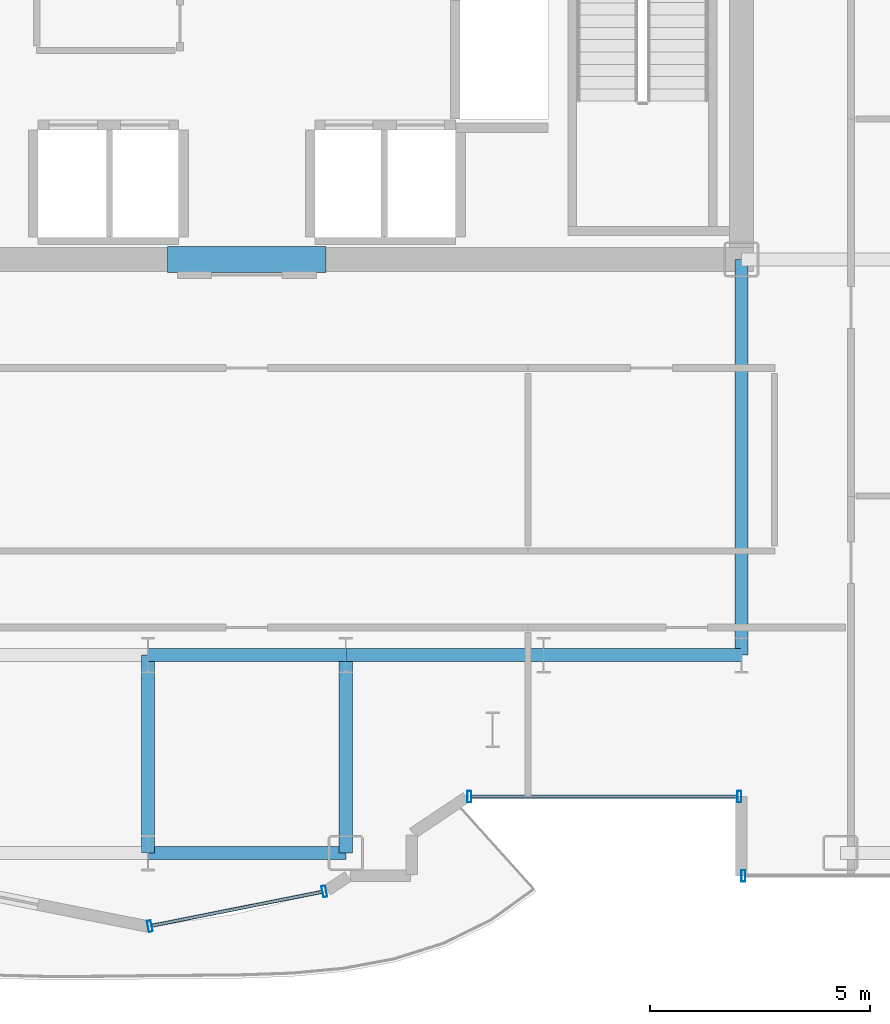
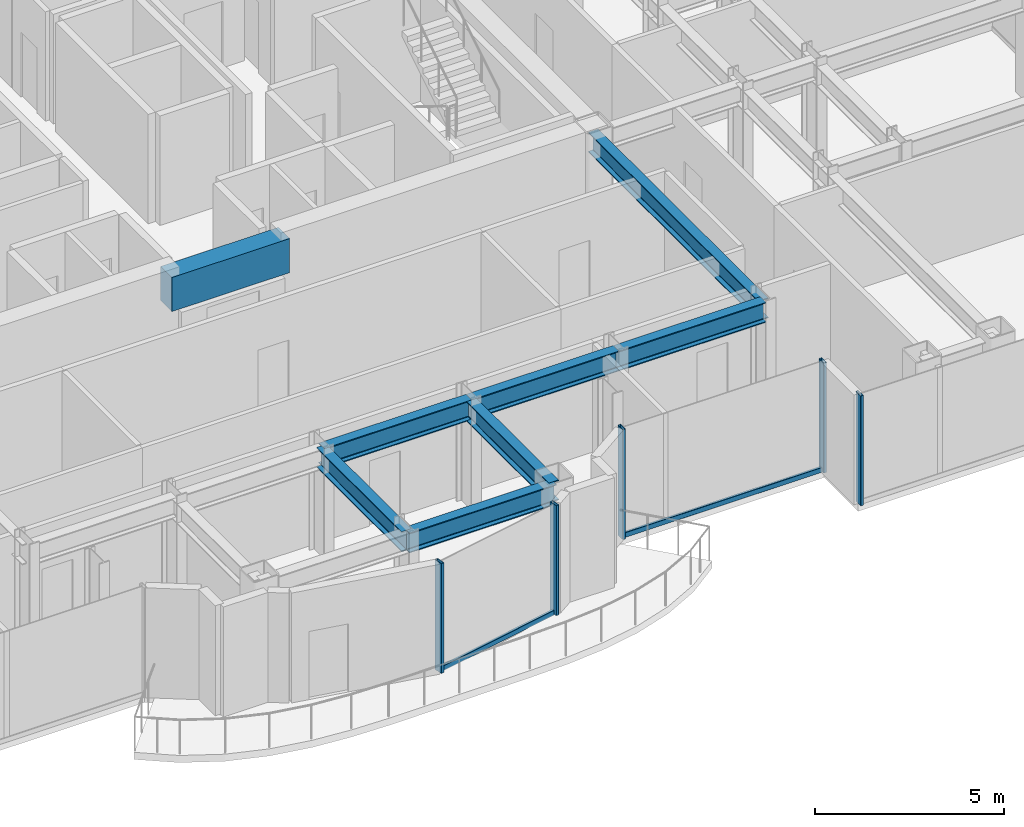
# One storey, part 7 of 22: 8 beams, 7 members, 3 elements without a shape of their own.
"""IFC4 building model written with IfcOpenShell, lengths in metres."""

from ifc_helpers import new_model, si_unit, direction, frame, origin, origin_2d, place, context, subcontext, project, spatial, rectangle, hollow_rectangle, i_section, extrude, source, transform, mapped, material, layer, layer_set, material_profile, profile_set, type_object, element, aggregate, save


model = new_model("IFC4")

# Units and contexts
model_context = context("Model", 3, precision=1e-05, world=origin(), true_north=direction((0.0, 1.0)))
body_context = subcontext(model_context, "Body", "Model", "MODEL_VIEW")
ifc_project = project(units=[si_unit("LENGTHUNIT", "METRE"), si_unit("AREAUNIT", "SQUARE_METRE"), si_unit("VOLUMEUNIT", "CUBIC_METRE"), si_unit("PLANEANGLEUNIT", "RADIAN"), si_unit("MASSUNIT", "GRAM", prefix="KILO")], contexts=[model_context])

# Site, building, storey
site_placement = place(None, origin())
site = spatial("IfcSite", under=ifc_project, at=site_placement, CompositionType="ELEMENT")
building_placement = place(site_placement, origin())
building = spatial("IfcBuilding", under=site, at=building_placement, Name="Nefas-Gora Pilgrimage Tower", CompositionType="ELEMENT")
storey_placement = place(building_placement, frame((0.0, 0.0, 186.800048828125)))
storey = spatial("IfcBuildingStorey", under=building, at=storey_placement, Name="L46", CompositionType="ELEMENT", Elevation=186.800048828125)

# Beams
ifc_material_1 = material(Name="Concrete C60/75", Category="concrete")
ifc_material_profile_1 = material_profile(ifc_material_1, rectangle(XDim=0.60009765625, YDim=1.10009765625, at=origin_2d()), Name="RC 600x1100")
ifc_profile_set_1 = profile_set([ifc_material_profile_1], Name="Concrete C60/75")
beam_type_1 = type_object("IfcBeamType", Name="BM-LIN-RC1100", PredefinedType="LINTEL", material=ifc_profile_set_1)
shared_shape_1 = source(origin(), body_context, "Body", "SweptSolid", [
    extrude(rectangle(XDim=0.60009765625, YDim=1.10009765625, at=origin_2d()), origin(), (0.0, 0.0, 1.0), 3.60009765625),
])
beam_1_placement = place(storey_placement, frame((-1.800048828125, -9.0, 3.0), z_axis=(1.0, 0.0, 0.0), x_axis=(0.0, 1.0, 0.0)))
element("IfcBeam", 1, at=beam_1_placement, inside=storey, type_object=beam_type_1, Name="L46 Core Coupling Lintel Beam S", PredefinedType="LINTEL", context=body_context, shape_type="MappedRepresentation", body=[
    mapped(shared_shape_1, transform((0.0, 0.0, 0.0), x_axis=(1.0, 0.0, 0.0), y_axis=(0.0, 1.0, 0.0), z_axis=(0.0, 0.0, 1.0), scale=1.0)),
])
ifc_material_2 = material(Name="Steel S355", Category="steel")
ifc_material_profile_2 = material_profile(ifc_material_2, i_section(OverallWidth=0.300048828125, OverallDepth=0.64990234375, WebThickness=0.01611328125, FlangeThickness=0.031005859375, FilletRadius=0.027099609375, at=origin_2d()), Name="HEB 650")
ifc_profile_set_2 = profile_set([ifc_material_profile_2], Name="Steel S355")
beam_type_2 = type_object("IfcBeamType", Name="BM-GIR-HEB650", PredefinedType="BEAM", material=ifc_profile_set_2)
shared_shape_2 = source(origin(), body_context, "Body", "SweptSolid", [
    extrude(i_section(OverallWidth=0.300048828125, OverallDepth=0.64990234375, WebThickness=0.01611328125, FlangeThickness=0.031005859375, FilletRadius=0.027099609375, at=origin_2d()), origin(), (0.0, 0.0, 1.0), 9.0),
])
beam_2_placement = place(storey_placement, frame((11.25, -18.0, 3.224853515625), z_axis=(0.0, 1.0, 0.0), x_axis=(-1.0, 0.0, 0.0)))
element("IfcBeam", 2, at=beam_2_placement, inside=storey, type_object=beam_type_2, Name="L46 G-03 beam", PredefinedType="BEAM", context=body_context, shape_type="MappedRepresentation", body=[
    mapped(shared_shape_2, transform((0.0, 0.0, 0.0), x_axis=(1.0, 0.0, 0.0), y_axis=(0.0, 1.0, 0.0), z_axis=(0.0, 0.0, 1.0), scale=1.0)),
])
shared_shape_3 = source(origin(), body_context, "Body", "SweptSolid", [
    extrude(i_section(OverallWidth=0.300048828125, OverallDepth=0.64990234375, WebThickness=0.01611328125, FlangeThickness=0.031005859375, FilletRadius=0.027099609375, at=origin_2d()), origin(), (0.0, 0.0, 1.0), 4.5),
])
for number, where, z_axis, x_axis, name in (
    (3, (-2.25, -22.5, 3.224853515625), (0.0, 1.0, 0.0), (-1.0, 0.0, 0.0), "L46 G-03 beam"),
    (4, (-2.25, -22.5, 3.224853515625), (1.0, 0.0, 0.0), (0.0, 1.0, 0.0), "L46 G-03 beam"),
    (5, (-2.25, -18.0, 3.224853515625), (1.0, 0.0, 0.0), (0.0, 1.0, 0.0), "L46 G-03 beam"),
    (6, (2.25, -22.5, 3.224853515625), (0.0, 1.0, 0.0), (-1.0, 0.0, 0.0), "L46 G-03 beam"),
    (7, (2.25, -18.0, 3.224853515625), (1.0, 0.0, 0.0), (0.0, 1.0, 0.0), "L46 G-03 beam"),
    (8, (6.75, -18.0, 3.224853515625), (1.0, 0.0, 0.0), (0.0, 1.0, 0.0), "L46 G-03 beam"),
):
    element("IfcBeam", number, at=place(storey_placement, frame(where, z_axis=z_axis, x_axis=x_axis)), inside=storey, type_object=beam_type_2, Name=name, PredefinedType="BEAM", context=body_context, shape_type="MappedRepresentation", body=[
        mapped(shared_shape_3, transform((0.0, 0.0, 0.0), x_axis=(1.0, 0.0, 0.0), y_axis=(0.0, 1.0, 0.0), z_axis=(0.0, 0.0, 1.0), scale=1.0)),
    ])

# Curtain wall, members
ifc_material_3 = material(Name="Dark ceramic-fritted solar-control aluminium-glass curtain wall", Category="aluminium")
ifc_layer_1 = layer(ifc_material_3, 0.219970703125)
ifc_layer_set_1 = layer_set([ifc_layer_1], Name="Dark ceramic-fritted solar-control aluminium-glass curtain wall")
curtain_wall_type_1 = type_object("IfcCurtainWallType", Name="CW-SYS-5", PredefinedType="NOTDEFINED", material=ifc_layer_set_1)
curtain_wall_1_placement = place(storey_placement, origin())
curtain_wall_1 = element("IfcCurtainWall", 9, at=curtain_wall_1_placement, inside=storey, type_object=curtain_wall_type_1, Name="L46 Unitised Curtain Wall CW5", PredefinedType="NOTDEFINED")
ifc_material_4 = material(Name="Anodised architectural aluminium", Category="aluminium")
ifc_material_profile_3 = material_profile(ifc_material_4, hollow_rectangle(XDim=0.090087890625, YDim=0.260009765625, WallThickness=0.006103515625, InnerFilletRadius=0.006103515625, OuterFilletRadius=0.011962890625, at=origin_2d()), Name="ALU MULLION 90x260")
ifc_profile_set_3 = profile_set([ifc_material_profile_3], Name="Anodised architectural aluminium")
member_type_1 = type_object("IfcMemberType", Name="CWM-MUL-5", PredefinedType="MULLION", material=ifc_profile_set_3)
shared_shape_4 = source(origin(), body_context, "Body", "SweptSolid", [
    extrude(hollow_rectangle(XDim=0.090087890625, YDim=0.260009765625, WallThickness=0.006103515625, InnerFilletRadius=0.006103515625, OuterFilletRadius=0.011962890625, at=origin_2d()), origin(), (0.0, 0.0, 1.0), 3.550048828125),
])
member_1_placement = place(storey_placement, frame((5.06298828125, -21.219970703125, 0.0), z_axis=(0.0, 0.0, 1.0), x_axis=(1.0, 0.0, 0.0)))
member_1 = element("IfcMember", 10, at=member_1_placement, type_object=member_type_1, Name="CW5 Mullion 1", PredefinedType="MULLION", context=body_context, shape_type="MappedRepresentation", body=[
    mapped(shared_shape_4, transform((0.0, 0.0, 0.0), x_axis=(1.0, 0.0, 0.0), y_axis=(0.0, 1.0, 0.0), z_axis=(0.0, 0.0, 1.0), scale=1.0)),
])
member_2_placement = place(storey_placement, frame((11.205078125, -21.219970703125, 0.0), z_axis=(0.0, 0.0, 1.0), x_axis=(1.0, 0.0, 0.0)))
member_2 = element("IfcMember", 11, at=member_2_placement, type_object=member_type_1, Name="CW5 Mullion 2", PredefinedType="MULLION", context=body_context, shape_type="MappedRepresentation", body=[
    mapped(shared_shape_4, transform((0.0, 0.0, 0.0), x_axis=(1.0, 0.0, 0.0), y_axis=(0.0, 1.0, 0.0), z_axis=(0.0, 0.0, 1.0), scale=1.0)),
])

curtain_wall_2_placement = place(storey_placement, origin())
curtain_wall_2 = element("IfcCurtainWall", 12, at=curtain_wall_2_placement, inside=storey, type_object=curtain_wall_type_1, Name="L46 Unitised Curtain Wall CW5", PredefinedType="NOTDEFINED")
member_3_placement = place(storey_placement, frame((-2.205810546875, -24.16357421875, 0.0), z_axis=(0.0, 0.0, 1.0), x_axis=(0.980782896852, 0.195102304554, 0.0)))
member_3 = element("IfcMember", 13, at=member_3_placement, type_object=member_type_1, Name="CW5 Mullion 1", PredefinedType="MULLION", context=body_context, shape_type="MappedRepresentation", body=[
    mapped(shared_shape_4, transform((0.0, 0.0, 0.0), x_axis=(1.0, 0.0, 0.0), y_axis=(0.0, 1.0, 0.0), z_axis=(0.0, 0.0, 1.0), scale=1.0)),
])
member_4_placement = place(storey_placement, frame((1.76318359375, -23.3740234375, 0.0), z_axis=(0.0, 0.0, 1.0), x_axis=(0.980782896852, 0.195102304554, 0.0)))
member_4 = element("IfcMember", 14, at=member_4_placement, type_object=member_type_1, Name="CW5 Mullion 2", PredefinedType="MULLION", context=body_context, shape_type="MappedRepresentation", body=[
    mapped(shared_shape_4, transform((0.0, 0.0, 0.0), x_axis=(1.0, 0.0, 0.0), y_axis=(0.0, 1.0, 0.0), z_axis=(0.0, 0.0, 1.0), scale=1.0)),
])

# Member
ifc_material_profile_4 = material_profile(ifc_material_4, hollow_rectangle(XDim=0.080078125, YDim=0.159912109375, WallThickness=0.00439453125, InnerFilletRadius=0.00439453125, OuterFilletRadius=0.009033203125, at=origin_2d()), Name="ALU TRANSOM 80x160")
ifc_profile_set_4 = profile_set([ifc_material_profile_4], Name="Anodised architectural aluminium")
member_type_2 = type_object("IfcMemberType", Name="CWM-TRN-5", PredefinedType="USERDEFINED", material=ifc_profile_set_4)
shared_shape_5 = source(origin(), body_context, "Body", "SweptSolid", [
    extrude(hollow_rectangle(XDim=0.080078125, YDim=0.159912109375, WallThickness=0.00439453125, InnerFilletRadius=0.00439453125, OuterFilletRadius=0.009033203125, at=origin_2d()), origin(), (0.0, 0.0, 1.0), 6.052001953125),
])
member_5_placement = place(storey_placement, frame((5.10791015625, -21.219970703125, 0.050048828125), z_axis=(1.0, 0.0, 0.0), x_axis=(0.0, 1.0, 0.0)))
member_5 = element("IfcMember", 15, at=member_5_placement, type_object=member_type_2, Name="CW5 Spandrel Transom", ObjectType="TRANSOM", PredefinedType="USERDEFINED", context=body_context, shape_type="MappedRepresentation", body=[
    mapped(shared_shape_5, transform((0.0, 0.0, 0.0), x_axis=(1.0, 0.0, 0.0), y_axis=(0.0, 1.0, 0.0), z_axis=(0.0, 0.0, 1.0), scale=1.0)),
])

aggregate(curtain_wall_1, [member_1, member_2, member_5])

shared_shape_6 = source(origin(), body_context, "Body", "SweptSolid", [
    extrude(hollow_rectangle(XDim=0.080078125, YDim=0.159912109375, WallThickness=0.00439453125, InnerFilletRadius=0.00439453125, OuterFilletRadius=0.009033203125, at=origin_2d()), origin(), (0.0, 0.0, 1.0), 3.95654296875),
])
member_6_placement = place(storey_placement, frame((-2.16162109375, -24.15478515625, 0.050048828125), z_axis=(0.980781880918, 0.195107411605, 0.0), x_axis=(-0.195107411605, 0.980781880918, 0.0)))
member_6 = element("IfcMember", 16, at=member_6_placement, type_object=member_type_2, Name="CW5 Spandrel Transom", ObjectType="TRANSOM", PredefinedType="USERDEFINED", context=body_context, shape_type="MappedRepresentation", body=[
    mapped(shared_shape_6, transform((0.0, 0.0, 0.0), x_axis=(1.0, 0.0, 0.0), y_axis=(0.0, 1.0, 0.0), z_axis=(0.0, 0.0, 1.0), scale=1.0)),
])

aggregate(curtain_wall_2, [member_3, member_4, member_6])

# Curtain wall, member
ifc_layer_2 = layer(ifc_material_3, 0.219970703125)
ifc_layer_set_2 = layer_set([ifc_layer_2], Name="Dark ceramic-fritted solar-control aluminium-glass curtain wall")
curtain_wall_type_2 = type_object("IfcCurtainWallType", Name="CW-SYS-3", PredefinedType="NOTDEFINED", material=ifc_layer_set_2)
curtain_wall_3_placement = place(storey_placement, origin())
curtain_wall_3 = element("IfcCurtainWall", 17, at=curtain_wall_3_placement, inside=storey, type_object=curtain_wall_type_2, Name="L46 Unitised Curtain Wall CW3", PredefinedType="NOTDEFINED")
ifc_material_profile_5 = material_profile(ifc_material_4, hollow_rectangle(XDim=0.090087890625, YDim=0.260009765625, WallThickness=0.006103515625, InnerFilletRadius=0.006103515625, OuterFilletRadius=0.011962890625, at=origin_2d()), Name="ALU MULLION 90x260")
ifc_profile_set_5 = profile_set([ifc_material_profile_5], Name="Anodised architectural aluminium")
member_type_3 = type_object("IfcMemberType", Name="CWM-MUL-3", PredefinedType="MULLION", material=ifc_profile_set_5)
shared_shape_7 = source(origin(), body_context, "Body", "SweptSolid", [
    extrude(hollow_rectangle(XDim=0.090087890625, YDim=0.260009765625, WallThickness=0.006103515625, InnerFilletRadius=0.006103515625, OuterFilletRadius=0.011962890625, at=origin_2d()), origin(), (0.0, 0.0, 1.0), 3.550048828125),
])
member_7_placement = place(storey_placement, frame((11.294921875, -23.02001953125, 0.0), z_axis=(0.0, 0.0, 1.0), x_axis=(1.0, 0.0, 0.0)))
member_7 = element("IfcMember", 18, at=member_7_placement, type_object=member_type_3, Name="CW3 Mullion 1", PredefinedType="MULLION", context=body_context, shape_type="MappedRepresentation", body=[
    mapped(shared_shape_7, transform((0.0, 0.0, 0.0), x_axis=(1.0, 0.0, 0.0), y_axis=(0.0, 1.0, 0.0), z_axis=(0.0, 0.0, 1.0), scale=1.0)),
])
aggregate(curtain_wall_3, [member_7])

save(model, "model.ifc")
